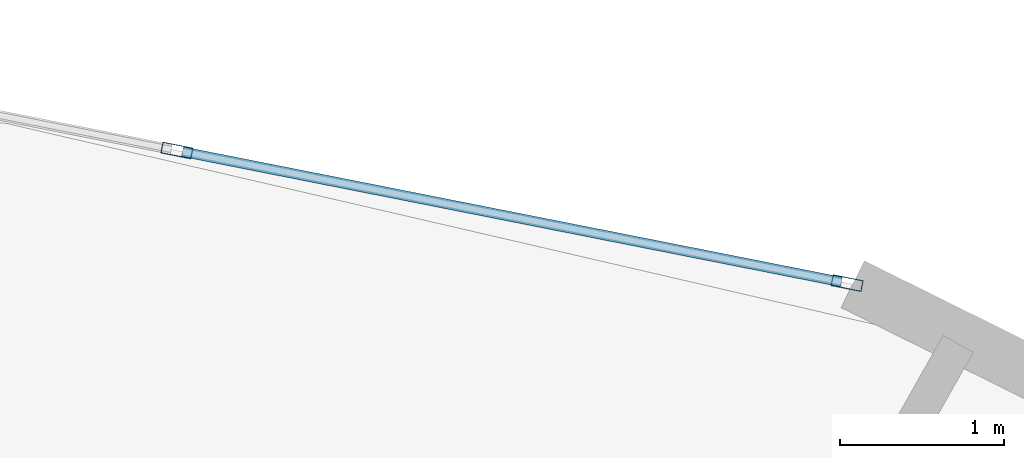
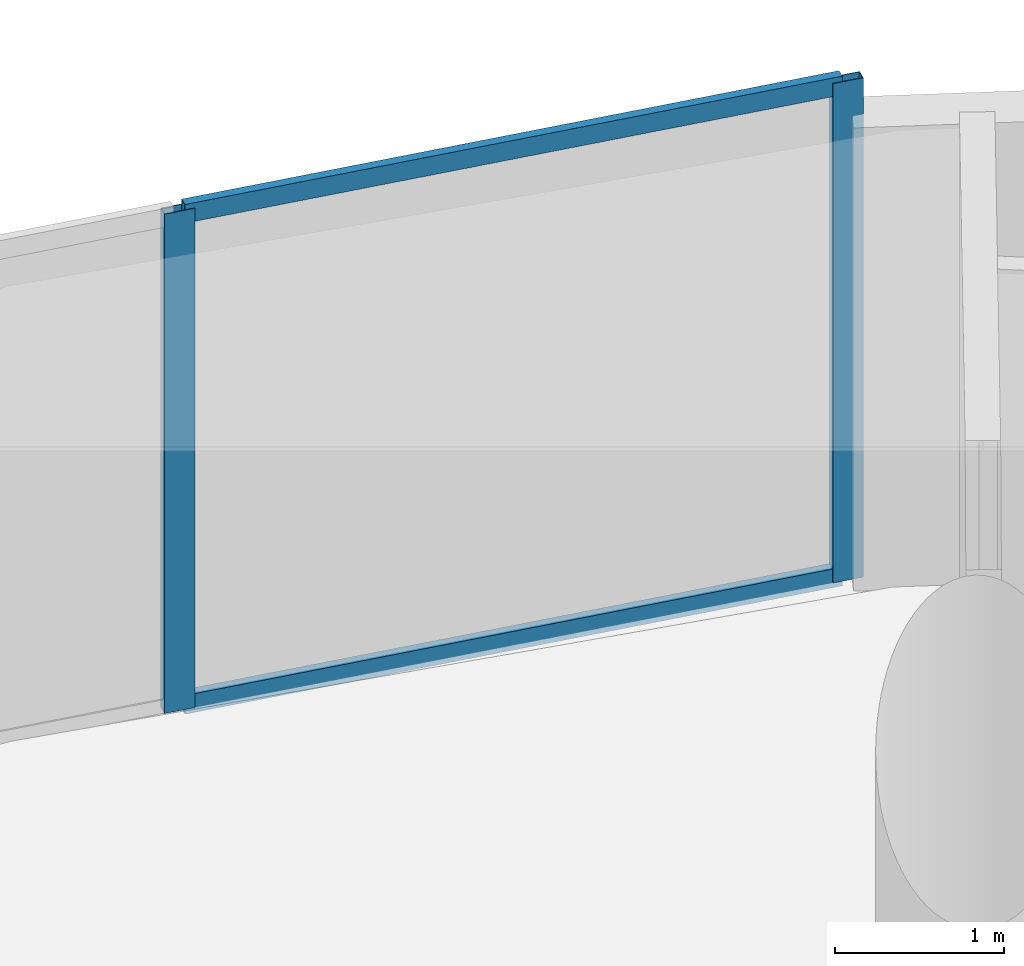
# One storey, part 17 of 26: 4 members, 1 element without a shape of its own.
"""IFC4 building model written with IfcOpenShell, lengths in metres."""

from ifc_helpers import new_model, si_unit, direction, frame, origin, origin_2d, place, context, subcontext, project, spatial, hollow_rectangle, extrude, source, transform, mapped, material, layer, layer_set, material_profile, profile_set, type_object, element, aggregate, save


model = new_model("IFC4")

# Units and contexts
model_context = context("Model", 3, precision=1e-05, world=origin(), true_north=direction((0.0, 1.0)))
body_context = subcontext(model_context, "Body", "Model", "MODEL_VIEW")
ifc_project = project(units=[si_unit("LENGTHUNIT", "METRE"), si_unit("AREAUNIT", "SQUARE_METRE"), si_unit("VOLUMEUNIT", "CUBIC_METRE"), si_unit("PLANEANGLEUNIT", "RADIAN"), si_unit("MASSUNIT", "GRAM", prefix="KILO")], contexts=[model_context])

# Site, building, storey
site_placement = place(None, origin())
site = spatial("IfcSite", under=ifc_project, at=site_placement, CompositionType="ELEMENT")
building_placement = place(site_placement, origin())
building = spatial("IfcBuilding", under=site, at=building_placement, Name="Solvirekh Grand Hotel", CompositionType="ELEMENT")
storey_placement = place(building_placement, frame((0.0, 0.0, 35.60009765625)))
storey = spatial("IfcBuildingStorey", under=building, at=storey_placement, Name="L07", CompositionType="ELEMENT", Elevation=35.60009765625)

# Curtain wall, members
ifc_material = material(Name="Anodized Bronze Aluminium 6063-T6", Category="aluminium")
ifc_layer = layer(ifc_material, 0.18994140625)
ifc_layer_set = layer_set([ifc_layer], Name="Anodized Bronze Aluminium 6063-T6")
curtain_wall_type = type_object("IfcCurtainWallType", Name="CW_Sys2_LowZoneFlushBronzeCW", PredefinedType="NOTDEFINED", material=ifc_layer_set)
curtain_wall_placement = place(storey_placement, origin())
curtain_wall = element("IfcCurtainWall", 1, at=curtain_wall_placement, inside=storey, type_object=curtain_wall_type, Name="L07 unitised bronze-glass curtain wall CW-L07-C05", PredefinedType="NOTDEFINED")
ifc_material_profile_1 = material_profile(ifc_material, hollow_rectangle(XDim=0.06005859375, YDim=0.135009765625, WallThickness=0.00390625, at=origin_2d()), Name="ALU RHS 135X60X4")
ifc_profile_set_1 = profile_set([ifc_material_profile_1], Name="Anodized Bronze Aluminium 6063-T6")
member_type_1 = type_object("IfcMemberType", Name="CWTransom_Sys2", PredefinedType="USERDEFINED", material=ifc_profile_set_1)
shared_shape_1 = source(origin(), body_context, "Body", "SweptSolid", [
    extrude(hollow_rectangle(XDim=0.06005859375, YDim=0.135009765625, WallThickness=0.00390625, at=origin_2d()), origin(), (0.0, 0.0, 1.0), 4.1015625),
])
member_1_placement = place(storey_placement, frame((10.807373046875, 20.33154296875, 0.02978515625), z_axis=(-0.980979281439, 0.194112465824, 0.0), x_axis=(-0.194112465824, -0.980979281439, 0.0)))
member_1 = element("IfcMember", 2, at=member_1_placement, type_object=member_type_1, Name="U02 transom 1.1", ObjectType="TRANSOM", PredefinedType="USERDEFINED", context=body_context, shape_type="MappedRepresentation", body=[
    mapped(shared_shape_1, transform((0.0, 0.0, 0.0), x_axis=(1.0, 0.0, 0.0), y_axis=(0.0, 1.0, 0.0), z_axis=(0.0, 0.0, 1.0), scale=1.0)),
])
member_2_placement = place(storey_placement, frame((10.807373046875, 20.33154296875, 3.56982421875), z_axis=(-0.980979281439, 0.194112465824, 0.0), x_axis=(-0.194112465824, -0.980979281439, 0.0)))
member_2 = element("IfcMember", 3, at=member_2_placement, type_object=member_type_1, Name="U02 transom 1.2", ObjectType="TRANSOM", PredefinedType="USERDEFINED", context=body_context, shape_type="MappedRepresentation", body=[
    mapped(shared_shape_1, transform((0.0, 0.0, 0.0), x_axis=(1.0, 0.0, 0.0), y_axis=(0.0, 1.0, 0.0), z_axis=(0.0, 0.0, 1.0), scale=1.0)),
])
ifc_material_profile_2 = material_profile(ifc_material, hollow_rectangle(XDim=0.070068359375, YDim=0.18994140625, WallThickness=0.0048828125, at=origin_2d()), Name="ALU RHS 190X70X5")
ifc_profile_set_2 = profile_set([ifc_material_profile_2], Name="Anodized Bronze Aluminium 6063-T6")
member_type_2 = type_object("IfcMemberType", Name="CWMullion_Sys2", PredefinedType="MULLION", material=ifc_profile_set_2)
shared_shape_2 = source(origin(), body_context, "Body", "SweptSolid", [
    extrude(hollow_rectangle(XDim=0.070068359375, YDim=0.18994140625, WallThickness=0.0048828125, at=origin_2d()), origin(), (0.0, 0.0, 1.0), 3.599853515625),
])
member_3_placement = place(storey_placement, frame((10.841552734375, 20.32470703125, 0.0), z_axis=(0.0, 0.0, 1.0), x_axis=(-0.194104185406, -0.9809809199, 0.0)))
member_3 = element("IfcMember", 4, at=member_3_placement, type_object=member_type_2, Name="U02 mullion 1", PredefinedType="MULLION", context=body_context, shape_type="MappedRepresentation", body=[
    mapped(shared_shape_2, transform((0.0, 0.0, 0.0), x_axis=(1.0, 0.0, 0.0), y_axis=(0.0, 1.0, 0.0), z_axis=(0.0, 0.0, 1.0), scale=1.0)),
])
member_4_placement = place(storey_placement, frame((6.74951171875, 21.134521484375, 0.0), z_axis=(0.0, 0.0, 1.0), x_axis=(-0.194104185406, -0.9809809199, 0.0)))
member_4 = element("IfcMember", 5, at=member_4_placement, type_object=member_type_2, Name="U02 mullion 2", PredefinedType="MULLION", context=body_context, shape_type="MappedRepresentation", body=[
    mapped(shared_shape_2, transform((0.0, 0.0, 0.0), x_axis=(1.0, 0.0, 0.0), y_axis=(0.0, 1.0, 0.0), z_axis=(0.0, 0.0, 1.0), scale=1.0)),
])
aggregate(curtain_wall, [member_3, member_4, member_1, member_2])

save(model, "model.ifc")
